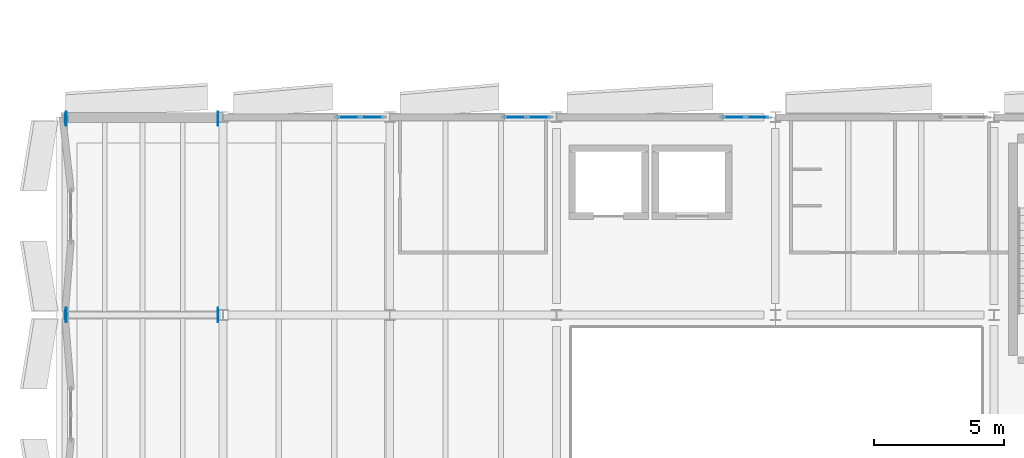
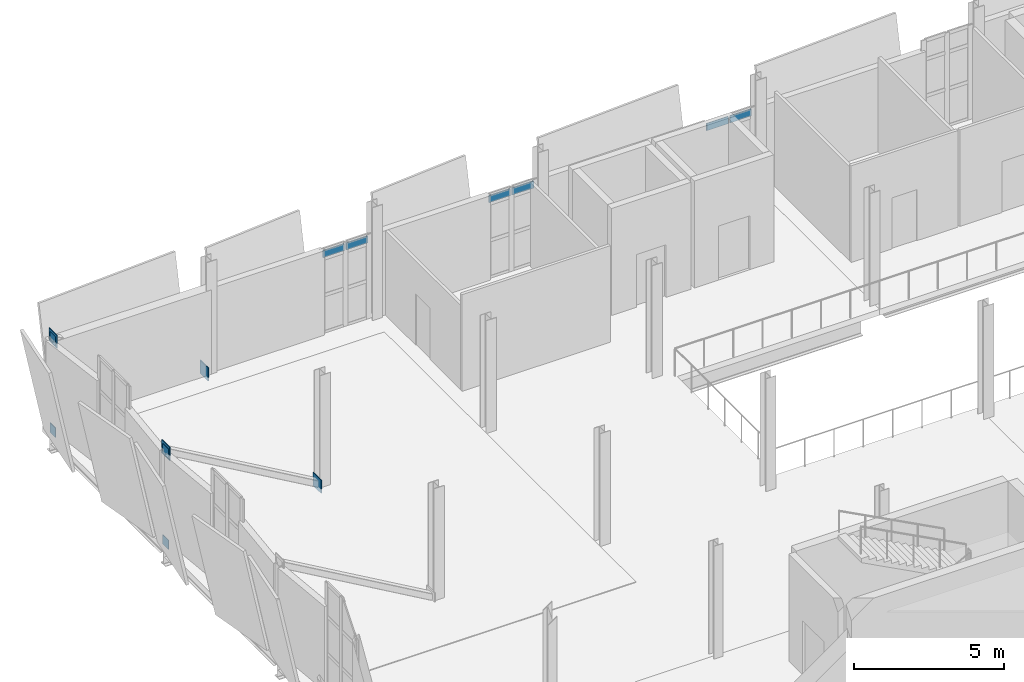
# One storey, part 145 of 172: 14 plates, 3 elements without a shape of their own.
"""IFC4 building model written with IfcOpenShell, lengths in metres."""

from ifc_helpers import new_model, si_unit, direction, frame, origin, origin_2d, place, context, subcontext, project, spatial, rectangle, extrude, material, layer, layer_set, type_object, element, aggregate, save


model = new_model("IFC4")

# Units and contexts
model_context = context("Model", 3, precision=1e-05, world=origin(), true_north=direction((0.0, 1.0)))
body_context = subcontext(model_context, "Body", "Model", "MODEL_VIEW")
ifc_project = project(units=[si_unit("LENGTHUNIT", "METRE"), si_unit("AREAUNIT", "SQUARE_METRE"), si_unit("VOLUMEUNIT", "CUBIC_METRE"), si_unit("PLANEANGLEUNIT", "RADIAN"), si_unit("MASSUNIT", "GRAM", prefix="KILO")], contexts=[model_context])

# Site, building, storey
site_placement = place(None, origin())
site = spatial("IfcSite", under=ifc_project, at=site_placement, CompositionType="ELEMENT")
building_placement = place(site_placement, origin())
building = spatial("IfcBuilding", under=site, at=building_placement, Name="Shengluoqiao Park Theatre", CompositionType="ELEMENT")
storey_placement = place(building_placement, frame((0.0, 0.0, 5.39990234375)))
storey = spatial("IfcBuildingStorey", under=building, at=storey_placement, Name="L01", CompositionType="ELEMENT", Elevation=5.39990234375)

# Curtain wall, plates
ifc_material_1 = material(Name="Aluminium 6063-T6", Category="aluminium")
curtain_wall_type = type_object("IfcCurtainWallType", Name="ENV-CW-FOYER", PredefinedType="NOTDEFINED", material=ifc_material_1)
curtain_wall_1_placement = place(storey_placement, origin())
curtain_wall_1 = element("IfcCurtainWall", 1, at=curtain_wall_1_placement, inside=storey, type_object=curtain_wall_type, Name="L01 Curtain Wall CW-L01-0046", PredefinedType="NOTDEFINED")
ifc_material_2 = material(Name="Insulated glass", Category="glass")
ifc_layer_1 = layer(ifc_material_2, 0.0380859375, Name="Insulated glass")
ifc_layer_set_1 = layer_set([ifc_layer_1], Name="Insulated glass")
plate_type_1 = type_object("IfcPlateType", Name="ENV-GLZ-GL-38", PredefinedType="CURTAIN_PANEL", material=ifc_layer_set_1)
plate_1_placement = place(storey_placement, frame((11.21728515625, 76.0, 3.08251953125), z_axis=(0.0, 0.0, 1.0), x_axis=(1.0, 0.0, 0.0)))
plate_1 = element("IfcPlate", 2, at=plate_1_placement, type_object=plate_type_1, Name="CW-01 panel 1.3", PredefinedType="CURTAIN_PANEL", context=body_context, shape_type="SweptSolid", body=[
    extrude(rectangle(XDim=0.83251953125, YDim=0.0380859375, at=origin_2d()), origin(), (0.0, 0.0, 1.0), 0.29052734375),
])
plate_2_placement = place(storey_placement, frame((12.11474609375, 76.0, 3.08251953125), z_axis=(0.0, 0.0, 1.0), x_axis=(1.0, 0.0, 0.0)))
plate_2 = element("IfcPlate", 3, at=plate_2_placement, type_object=plate_type_1, Name="CW-01 panel 2.3", PredefinedType="CURTAIN_PANEL", context=body_context, shape_type="SweptSolid", body=[
    extrude(rectangle(XDim=0.83251953125, YDim=0.0380859375, at=origin_2d()), origin(), (0.0, 0.0, 1.0), 0.29052734375),
])
aggregate(curtain_wall_1, [plate_1, plate_2])

curtain_wall_2_placement = place(storey_placement, origin())
curtain_wall_2 = element("IfcCurtainWall", 4, at=curtain_wall_2_placement, inside=storey, type_object=curtain_wall_type, Name="L01 Curtain Wall CW-L01-0047", PredefinedType="NOTDEFINED")
plate_3_placement = place(storey_placement, frame((17.6171875, 76.0, 3.08251953125), z_axis=(0.0, 0.0, 1.0), x_axis=(1.0, 0.0, 0.0)))
plate_3 = element("IfcPlate", 5, at=plate_3_placement, type_object=plate_type_1, Name="CW-01 panel 1.3", PredefinedType="CURTAIN_PANEL", context=body_context, shape_type="SweptSolid", body=[
    extrude(rectangle(XDim=0.83251953125, YDim=0.0380859375, at=origin_2d()), origin(), (0.0, 0.0, 1.0), 0.29052734375),
])
plate_4_placement = place(storey_placement, frame((18.5146484375, 76.0, 3.08251953125), z_axis=(0.0, 0.0, 1.0), x_axis=(1.0, 0.0, 0.0)))
plate_4 = element("IfcPlate", 6, at=plate_4_placement, type_object=plate_type_1, Name="CW-01 panel 2.3", PredefinedType="CURTAIN_PANEL", context=body_context, shape_type="SweptSolid", body=[
    extrude(rectangle(XDim=0.83251953125, YDim=0.0380859375, at=origin_2d()), origin(), (0.0, 0.0, 1.0), 0.29052734375),
])
aggregate(curtain_wall_2, [plate_3, plate_4])

curtain_wall_3_placement = place(storey_placement, origin())
curtain_wall_3 = element("IfcCurtainWall", 7, at=curtain_wall_3_placement, inside=storey, type_object=curtain_wall_type, Name="L01 Curtain Wall CW-L01-0048", PredefinedType="NOTDEFINED")
plate_5_placement = place(storey_placement, frame((26.017333984375, 76.0, 3.08251953125), z_axis=(0.0, 0.0, 1.0), x_axis=(1.0, 0.0, 0.0)))
plate_5 = element("IfcPlate", 8, at=plate_5_placement, type_object=plate_type_1, Name="CW-01 panel 1.3", PredefinedType="CURTAIN_PANEL", context=body_context, shape_type="SweptSolid", body=[
    extrude(rectangle(XDim=0.83251953125, YDim=0.0380859375, at=origin_2d()), origin(), (0.0, 0.0, 1.0), 0.29052734375),
])
plate_6_placement = place(storey_placement, frame((26.914794921875, 76.0, 3.08251953125), z_axis=(0.0, 0.0, 1.0), x_axis=(1.0, 0.0, 0.0)))
plate_6 = element("IfcPlate", 9, at=plate_6_placement, type_object=plate_type_1, Name="CW-01 panel 2.3", PredefinedType="CURTAIN_PANEL", context=body_context, shape_type="SweptSolid", body=[
    extrude(rectangle(XDim=0.83251953125, YDim=0.0380859375, at=origin_2d()), origin(), (0.0, 0.0, 1.0), 0.29052734375),
])
aggregate(curtain_wall_3, [plate_5, plate_6])

# Plates
ifc_material_3 = material(Name="Steel Q390", Category="steel")
ifc_layer_2 = layer(ifc_material_3, 0.02392578125, Name="Steel Q390")
ifc_layer_set_2 = layer_set([ifc_layer_2], Name="Steel Q390")
plate_type_2 = type_object("IfcPlateType", Name="STR-PLT-EC-360", PredefinedType="SHEET", material=ifc_layer_set_2)
for number, where, z_axis, x_axis, name in (
    (10, (0.360107421875, 68.39990234375, -0.44091796875), (0.0, 0.0, 1.0), (1.0, 0.0, 0.0), "Hollow Tube End Cap Plate 00098"),
    (11, (0.360107421875, 68.39990234375, 3.28125), (0.0, 0.0, 1.0), (1.0, 0.0, 0.0), "Hollow Tube End Cap Plate 00099"),
    (12, (0.360107421875, 75.93994140625, -0.44091796875), (0.0, 0.0, 1.0), (1.0, 0.0, 0.0), "Hollow Tube End Cap Plate 00110"),
    (13, (0.360107421875, 75.93994140625, 3.28125), (0.0, 0.0, 1.0), (1.0, 0.0, 0.0), "Hollow Tube End Cap Plate 00111"),
):
    element("IfcPlate", number, at=place(storey_placement, frame(where, z_axis=z_axis, x_axis=x_axis)), inside=storey, type_object=plate_type_2, Name=name, PredefinedType="SHEET", context=body_context, shape_type="SweptSolid", body=[
        extrude(rectangle(XDim=0.02392578125, YDim=0.3798828125, at=origin_2d()), origin(), (0.0, 0.0, 1.0), 0.3798828125),
    ])
ifc_layer_3 = layer(ifc_material_3, 0.033935546875, Name="Steel Q390")
ifc_layer_set_3 = layer_set([ifc_layer_3], Name="Steel Q390")
plate_type_3 = type_object("IfcPlateType", Name="STR-PLT-EC-540", PredefinedType="SHEET", material=ifc_layer_set_3)
for number, where, z_axis, x_axis, name in (
    (14, (6.202880859375, 68.39990234375, -0.142822265625), (0.0, 0.0, 1.0), (-1.0, 0.0, 0.0), "Hollow Tube End Cap Plate 00096"),
    (15, (0.3720703125, 68.39990234375, 3.22314453125), (0.0, 0.0, 1.0), (-1.0, 0.0, 0.0), "Hollow Tube End Cap Plate 00097"),
    (16, (6.202880859375, 75.93994140625, -0.142822265625), (0.0, 0.0, 1.0), (-1.0, 0.0, 0.0), "Hollow Tube End Cap Plate 00108"),
    (17, (0.3720703125, 75.93994140625, 3.22314453125), (0.0, 0.0, 1.0), (-1.0, 0.0, 0.0), "Hollow Tube End Cap Plate 00109"),
):
    element("IfcPlate", number, at=place(storey_placement, frame(where, z_axis=z_axis, x_axis=x_axis)), inside=storey, type_object=plate_type_3, Name=name, PredefinedType="SHEET", context=body_context, shape_type="SweptSolid", body=[
        extrude(rectangle(XDim=0.033935546875, YDim=0.5400390625, at=origin_2d()), origin(), (0.0, 0.0, 1.0), 0.5400390625),
    ])

save(model, "model.ifc")
